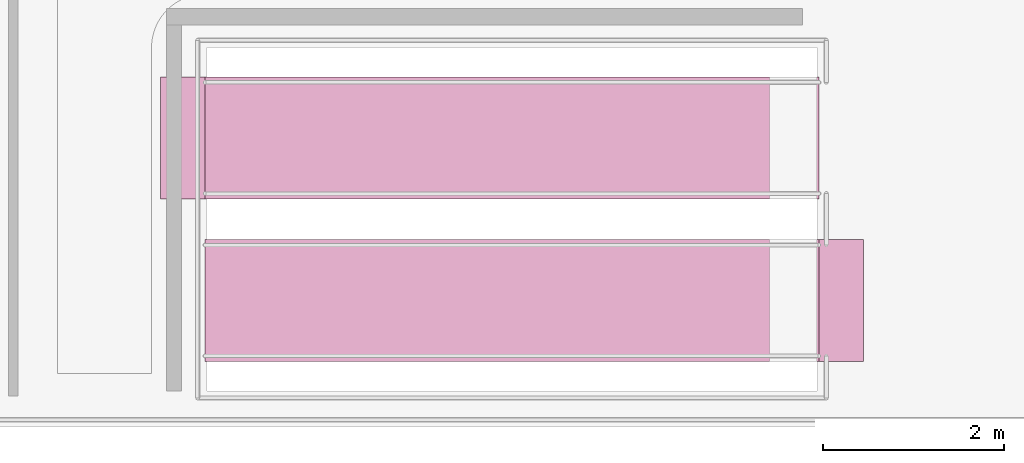
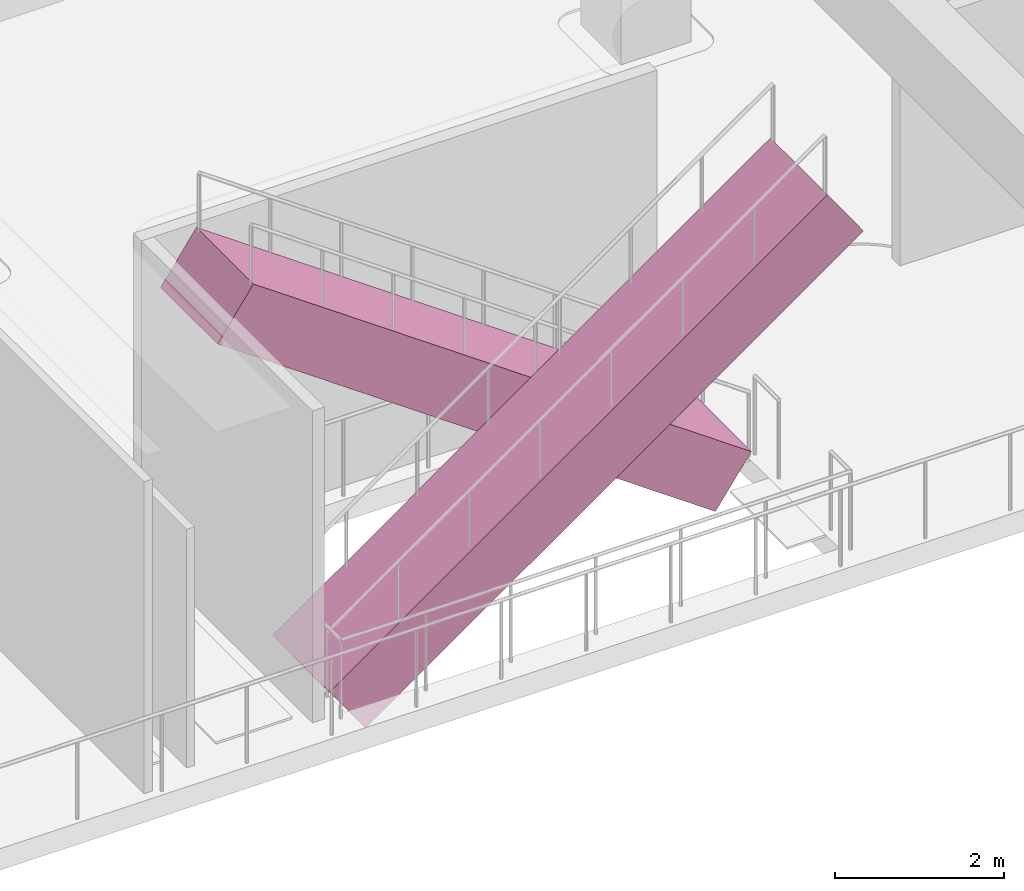
# One storey, part 86 of 86: 2 transport elements.
"""IFC4 building model written with IfcOpenShell, lengths in metres."""

from ifc_helpers import new_model, si_unit, direction, frame, origin, place, context, subcontext, project, spatial, polyline, outline, extrude, material, layer, layer_set, type_object, element, save


model = new_model("IFC4")

# Units and contexts
model_context = context("Model", 3, precision=1e-05, world=origin(), true_north=direction((0.0, 1.0)))
body_context = subcontext(model_context, "Body", "Model", "MODEL_VIEW")
ifc_project = project(units=[si_unit("LENGTHUNIT", "METRE"), si_unit("AREAUNIT", "SQUARE_METRE"), si_unit("VOLUMEUNIT", "CUBIC_METRE"), si_unit("PLANEANGLEUNIT", "RADIAN"), si_unit("MASSUNIT", "GRAM", prefix="KILO")], contexts=[model_context])

# Site, building, storey
site_placement = place(None, origin())
site = spatial("IfcSite", under=ifc_project, at=site_placement, CompositionType="ELEMENT")
building_placement = place(site_placement, origin())
building = spatial("IfcBuilding", under=site, at=building_placement, Name="Cendralis Terraced Arcade", CompositionType="ELEMENT")
storey_placement = place(building_placement, frame((0.0, 0.0, 5.39990234375)))
storey = spatial("IfcBuildingStorey", under=building, at=storey_placement, Name="L01", CompositionType="ELEMENT", Elevation=5.39990234375)

# Transport elements
ifc_material = material(Name="Brushed stainless steel and laminated glass escalator", Category="steel")
ifc_layer = layer(ifc_material, 0.949951171875, Name="ESC-ATR-1000")
ifc_layer_set = layer_set([ifc_layer], Name="Brushed stainless steel and laminated glass escalator")
transport_element_type = type_object("IfcTransportElementType", Name="ESC-ATR-1000", PredefinedType="ESCALATOR", material=ifc_layer_set)
transport_element_1_placement = place(storey_placement, frame((38.0, 39.125, 0.10009765625), z_axis=(-0.576684349177, 0.0, 0.816967050385), x_axis=(0.816967050385, 0.0, 0.576684349177)))
element("IfcTransportElement", 1, at=transport_element_1_placement, inside=storey, type_object=transport_element_type, Name="Atrium Retail Escalator ESC-03 (L01 to L02)", PredefinedType="ESCALATOR", context=body_context, shape_type="SweptSolid", body=[
    extrude(outline(polyline([(0.0, 0.0), (8.323528868050401, 0.0), (8.323528868050401, 1.35009765625), (0.0, 1.35009765625), (0.0, 0.0)])), origin(), (0.0, 0.0, -1.0), 0.85009765625),
])
transport_element_2_placement = place(storey_placement, frame((44.800048828125, 40.925048828125, 0.10009765625), z_axis=(0.576684349177, 0.0, 0.816967050385), x_axis=(-0.816967050385, 0.0, 0.576684349177)))
element("IfcTransportElement", 2, at=transport_element_2_placement, inside=storey, type_object=transport_element_type, Name="Atrium Retail Escalator ESC-04 (L01 to L02)", PredefinedType="ESCALATOR", context=body_context, shape_type="SweptSolid", body=[
    extrude(outline(polyline([(0.0, 0.0), (8.323528868050401, 0.0), (8.323528868050401, -1.3498535156250002), (0.0, -1.3498535156250002), (0.0, 0.0)])), origin(), (0.0, 0.0, -1.0), 0.85009765625),
])

save(model, "model.ifc")
